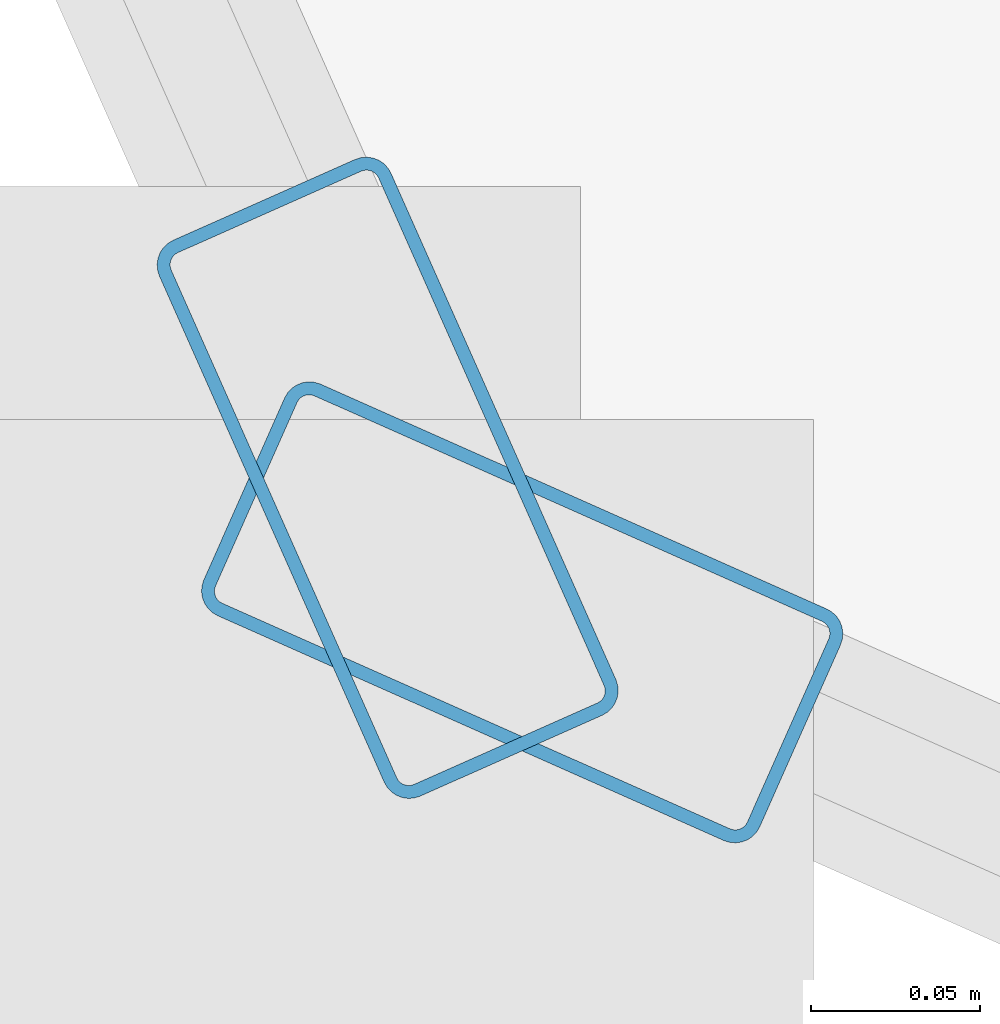
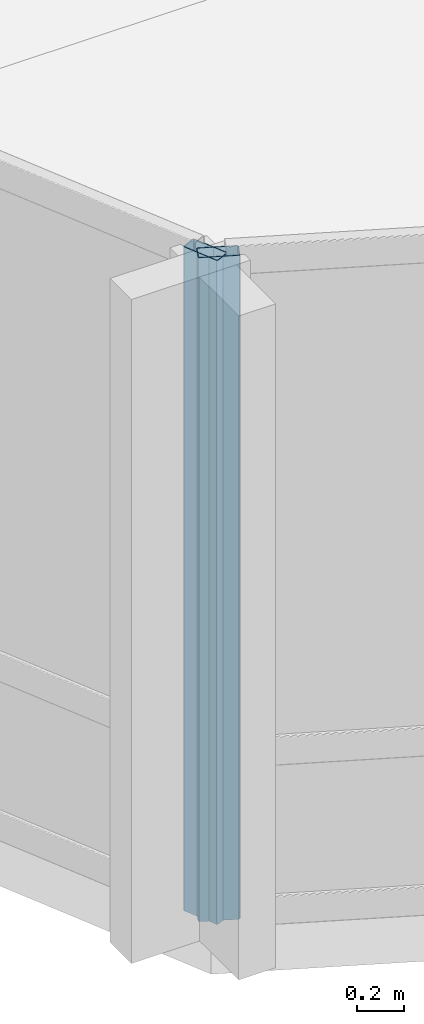
# One storey, part 2 of 34: 2 members, 2 elements without a shape of their own.
"""IFC4 building model written with IfcOpenShell, lengths in metres."""

from ifc_helpers import new_model, si_unit, direction, frame, origin, origin_2d, place, context, subcontext, project, spatial, hollow_rectangle, extrude, material, layer, layer_set, material_profile, profile_set, type_object, element, aggregate, save


model = new_model("IFC4")

# Units and contexts
model_context = context("Model", 3, precision=1e-05, world=origin(), true_north=direction((0.0, 1.0)))
body_context = subcontext(model_context, "Body", "Model", "MODEL_VIEW")
ifc_project = project(units=[si_unit("LENGTHUNIT", "METRE"), si_unit("AREAUNIT", "SQUARE_METRE"), si_unit("VOLUMEUNIT", "CUBIC_METRE"), si_unit("PLANEANGLEUNIT", "RADIAN"), si_unit("MASSUNIT", "GRAM", prefix="KILO")], contexts=[model_context])

# Site, building, storey
site_placement = place(None, origin())
site = spatial("IfcSite", under=ifc_project, at=site_placement, CompositionType="ELEMENT")
building_placement = place(site_placement, origin())
building = spatial("IfcBuilding", under=site, at=building_placement, Name="Solvaryn Broadcast Tower", CompositionType="ELEMENT")
storey_placement = place(building_placement, frame((0.0, 0.0, 92.800048828125)))
storey = spatial("IfcBuildingStorey", under=building, at=storey_placement, Name="L22", CompositionType="ELEMENT", Elevation=92.800048828125)

# Curtain wall, member
ifc_material_1 = material(Name="Aluminium and Terracotta Unitised Curtain Wall", Category="masonry")
ifc_layer_1 = layer(ifc_material_1, 0.239990234375)
ifc_layer_set_1 = layer_set([ifc_layer_1], Name="CW-SYS3-BAYBOX")
curtain_wall_type_1 = type_object("IfcCurtainWallType", Name="CW-SYS3-BAYBOX", PredefinedType="NOTDEFINED", material=ifc_layer_set_1)
curtain_wall_1_placement = place(storey_placement, origin())
curtain_wall_1 = element("IfcCurtainWall", 1, at=curtain_wall_1_placement, inside=storey, type_object=curtain_wall_type_1, Name="L22 Curtain Wall DR2", PredefinedType="NOTDEFINED")
ifc_material_2 = material(Name="Anodised Aluminium 6063-T6", Category="aluminium")
ifc_material_profile = material_profile(ifc_material_2, hollow_rectangle(XDim=0.074951171875, YDim=0.179931640625, WallThickness=0.00390625, InnerFilletRadius=0.00390625, OuterFilletRadius=0.008056640625, at=origin_2d()))
ifc_profile_set = profile_set([ifc_material_profile], Name="Anodised Aluminium 6063-T6")
member_type = type_object("IfcMemberType", Name="CW-MUL-180", PredefinedType="MULLION", material=ifc_profile_set)
member_1_placement = place(storey_placement, frame((7.834716796875, 7.87451171875, 0.0), z_axis=(0.0, 0.0, 1.0), x_axis=(0.913918257271, 0.405898286554, 0.0)))
member_1 = element("IfcMember", 2, at=member_1_placement, type_object=member_type, Name="CWS3 mullion 2", PredefinedType="MULLION", context=body_context, shape_type="SweptSolid", body=[
    extrude(hollow_rectangle(XDim=0.074951171875, YDim=0.179931640625, WallThickness=0.00390625, InnerFilletRadius=0.00390625, OuterFilletRadius=0.008056640625, at=origin_2d()), origin(), (0.0, 0.0, 1.0), 3.419921875),
])
aggregate(curtain_wall_1, [member_1])

ifc_material_3 = material(Name="Aluminium and Terracotta Unitised Curtain Wall", Category="masonry")
ifc_layer_2 = layer(ifc_material_3, 0.199951171875)
ifc_layer_set_2 = layer_set([ifc_layer_2], Name="CW-SYS2-LOWMID")
curtain_wall_type_2 = type_object("IfcCurtainWallType", Name="CW-SYS2-LOWMID", PredefinedType="NOTDEFINED", material=ifc_layer_set_2)
curtain_wall_2_placement = place(storey_placement, origin())
curtain_wall_2 = element("IfcCurtainWall", 3, at=curtain_wall_2_placement, inside=storey, type_object=curtain_wall_type_2, Name="L22 Curtain Wall DR3", PredefinedType="NOTDEFINED")
member_2_placement = place(storey_placement, frame((7.87451171875, 7.834716796875, 0.0), z_axis=(0.0, 0.0, 1.0), x_axis=(0.405898286554, 0.913918257271, 0.0)))
member_2 = element("IfcMember", 4, at=member_2_placement, type_object=member_type, Name="CWS2 mullion 1", PredefinedType="MULLION", context=body_context, shape_type="SweptSolid", body=[
    extrude(hollow_rectangle(XDim=0.074951171875, YDim=0.179931640625, WallThickness=0.00390625, InnerFilletRadius=0.00390625, OuterFilletRadius=0.008056640625, at=origin_2d()), origin(), (0.0, 0.0, 1.0), 3.419921875),
])
aggregate(curtain_wall_2, [member_2])

save(model, "model.ifc")
